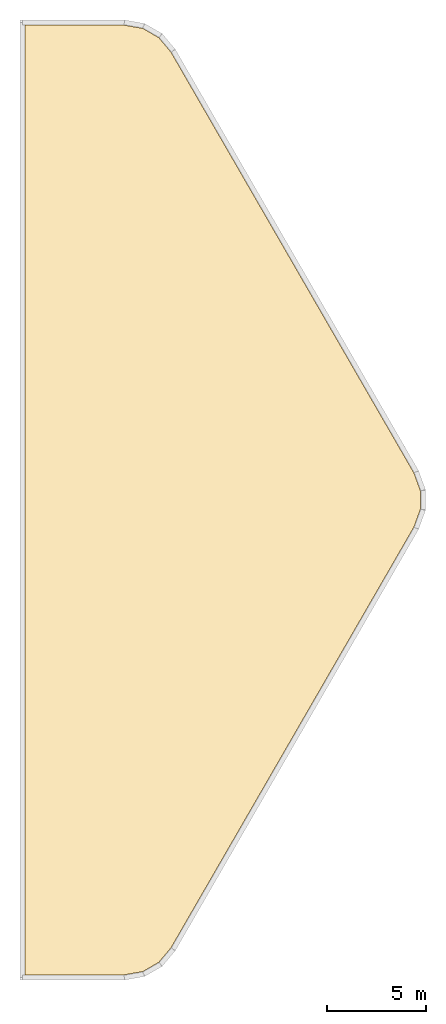
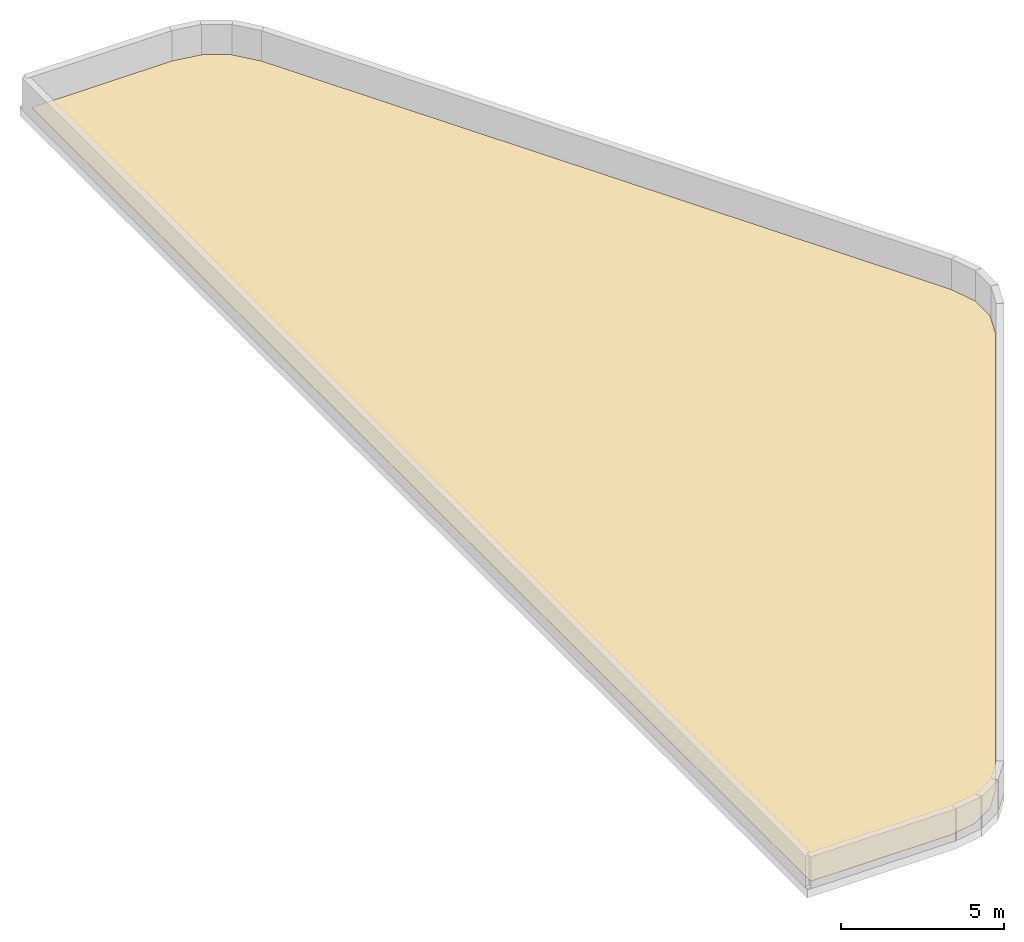
# One storey, part 2 of 2: 1 covering.
"""IFC4 building model written with IfcOpenShell, lengths in metres."""

from ifc_helpers import new_model, si_unit, direction, frame, origin, place, context, subcontext, project, spatial, polyline, outline, extrude, material, layer, layer_set, type_object, element, save


model = new_model("IFC4")

# Units and contexts
model_context = context("Model", 3, precision=1e-05, world=origin(), true_north=direction((0.0, 1.0)))
body_context = subcontext(model_context, "Body", "Model", "MODEL_VIEW")
ifc_project = project(units=[si_unit("LENGTHUNIT", "METRE"), si_unit("AREAUNIT", "SQUARE_METRE"), si_unit("VOLUMEUNIT", "CUBIC_METRE"), si_unit("PLANEANGLEUNIT", "RADIAN"), si_unit("MASSUNIT", "GRAM", prefix="KILO")], contexts=[model_context])

# Site, building, storey
site_placement = place(None, origin())
site = spatial("IfcSite", under=ifc_project, at=site_placement, CompositionType="ELEMENT")
building_placement = place(site_placement, origin())
building = spatial("IfcBuilding", under=site, at=building_placement, Name="Zuhravey Tower", CompositionType="ELEMENT")
storey_placement = place(building_placement, frame((0.0, 0.0, 387.800048828125)))
storey = spatial("IfcBuildingStorey", under=building, at=storey_placement, Name="ROOF", CompositionType="ELEMENT", Elevation=387.800048828125)

# Covering
ifc_material = material(Name="EPDM insulated roof membrane")
ifc_layer = layer(ifc_material, 0.01806640625)
ifc_layer_set = layer_set([ifc_layer], Name="EPDM insulated roof membrane")
covering_type = type_object("IfcCoveringType", Name="Roof Waterproofing Membrane", PredefinedType="ROOFING", material=ifc_layer_set)
covering_placement = place(storey_placement, frame((0.0, 0.0, 0.06005859375)))
element("IfcCovering", 1, at=covering_placement, inside=storey, type_object=covering_type, Name="ROOF EAST Crest Roof Membrane RFM1", PredefinedType="ROOFING", context=body_context, shape_type="SweptSolid", body=[
    extrude(outline(polyline([(48.254150390625, 55.9541015625), (49.195556640625, 55.7880859375), (50.00341796875, 55.32177734375), (50.617919921875, 54.58935546875), (62.871826171875, 33.36474609375), (63.19873046875, 32.466552734375), (63.19873046875, 31.533447265625), (62.871826171875, 30.63525390625), (50.617919921875, 9.41064453125), (50.00341796875, 8.67822265625), (49.195556640625, 8.2119140625), (48.254150390625, 8.0458984375), (43.260009765625, 8.0458984375), (43.260009765625, 55.9541015625), (48.254150390625, 55.9541015625)])), origin(), (0.0, 0.0, 1.0), 0.017822265625),
])

save(model, "model.ifc")
